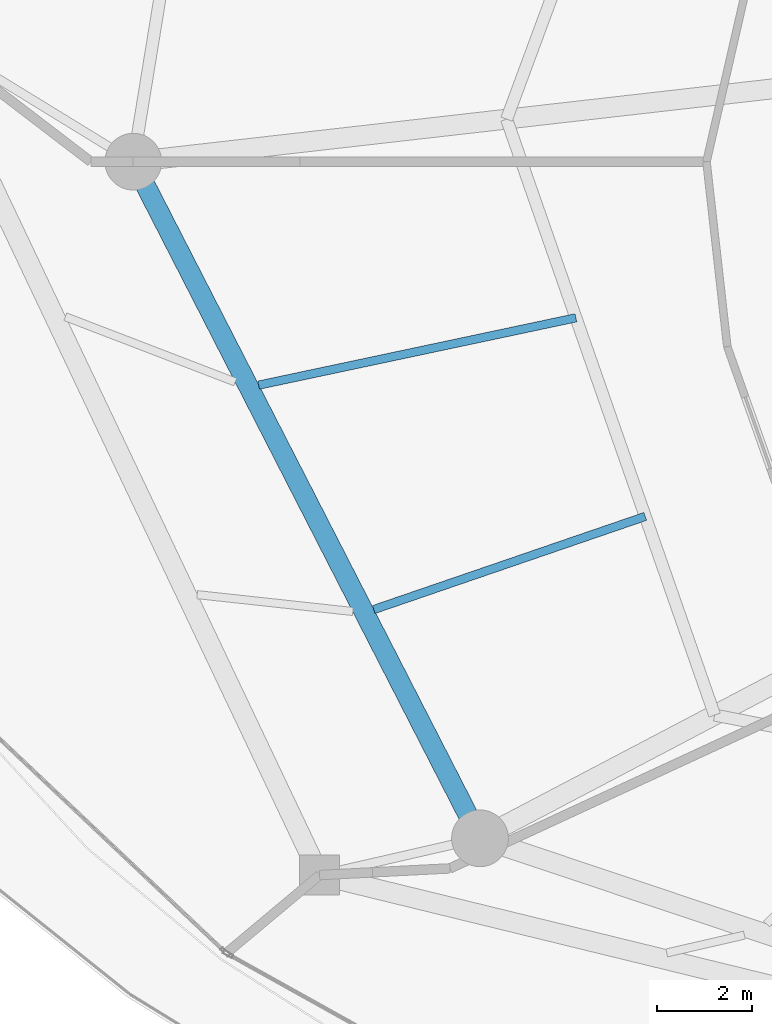
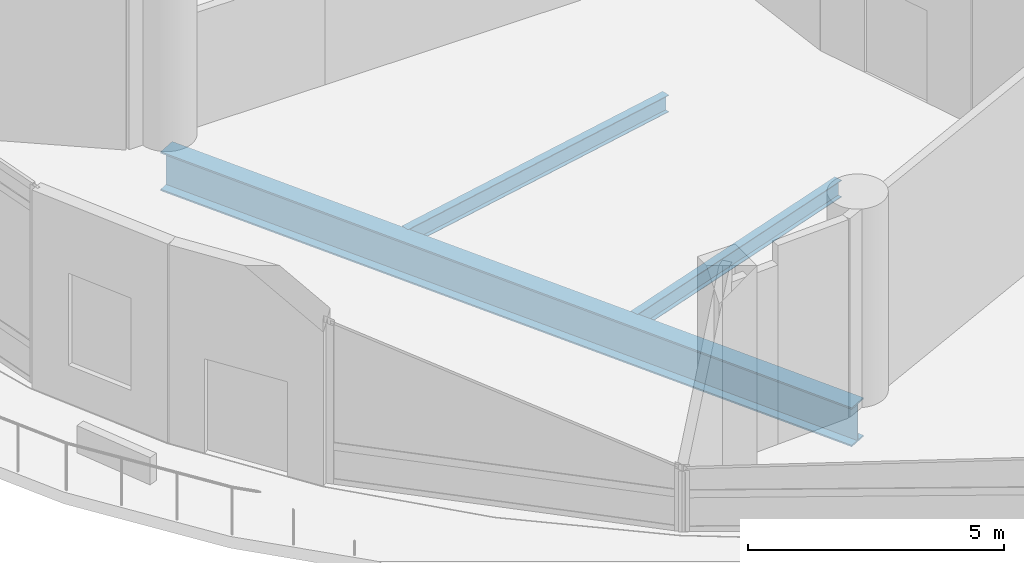
# One storey, part 8 of 34: 3 beams.
"""IFC4 building model written with IfcOpenShell, lengths in metres."""

from ifc_helpers import new_model, si_unit, direction, frame, origin, origin_2d, place, context, subcontext, project, spatial, i_section, extrude, material, material_profile, profile_set, type_object, element, save


model = new_model("IFC4")

# Units and contexts
model_context = context("Model", 3, precision=1e-05, world=origin(), true_north=direction((0.0, 1.0)))
body_context = subcontext(model_context, "Body", "Model", "MODEL_VIEW")
ifc_project = project(units=[si_unit("LENGTHUNIT", "METRE"), si_unit("AREAUNIT", "SQUARE_METRE"), si_unit("VOLUMEUNIT", "CUBIC_METRE"), si_unit("PLANEANGLEUNIT", "RADIAN"), si_unit("MASSUNIT", "GRAM", prefix="KILO")], contexts=[model_context])

# Site, building, storey
site_placement = place(None, origin())
site = spatial("IfcSite", under=ifc_project, at=site_placement, CompositionType="ELEMENT")
building_placement = place(site_placement, origin())
building = spatial("IfcBuilding", under=site, at=building_placement, Name="Nuhasar Tower", CompositionType="ELEMENT")
storey_placement = place(building_placement, frame((0.0, 0.0, 16.0)))
storey = spatial("IfcBuildingStorey", under=building, at=storey_placement, Name="L03", CompositionType="ELEMENT", Elevation=16.0)

# Beams
ifc_material = material(Name="Steel S355", Category="steel")
ifc_material_profile_1 = material_profile(ifc_material, i_section(OverallWidth=0.177978515625, OverallDepth=0.406005859375, WebThickness=0.0078125, FlangeThickness=0.0126953125, at=origin_2d()), Name="W16X40")
ifc_profile_set_1 = profile_set([ifc_material_profile_1], Name="Steel S355")
beam_type_1 = type_object("IfcBeamType", Name="BM-JST-W16X40", PredefinedType="JOIST", material=ifc_profile_set_1)
beam_1_placement = place(storey_placement, frame((23.31689453125, 23.49609375, -0.5029296875), z_axis=(-0.978201506775, -0.207657920972, 0.0), x_axis=(0.207657920972, -0.978201506775, 0.0)))
element("IfcBeam", 1, at=beam_1_placement, inside=storey, type_object=beam_type_1, Name="L03 Secondary Floor Joist 15", PredefinedType="JOIST", context=body_context, shape_type="SweptSolid", body=[
    extrude(i_section(OverallWidth=0.177978515625, OverallDepth=0.406005859375, WebThickness=0.0078125, FlangeThickness=0.0126953125, at=origin_2d()), origin(), (0.0, 0.0, 1.0), 6.862548828125),
])
beam_2_placement = place(storey_placement, frame((24.784912109375, 19.29296875, -0.5029296875), z_axis=(-0.945915296606, -0.324413704469, 0.0), x_axis=(0.324413704469, -0.945915296606, 0.0)))
element("IfcBeam", 2, at=beam_2_placement, inside=storey, type_object=beam_type_1, Name="L03 Secondary Floor Joist 16", PredefinedType="JOIST", context=body_context, shape_type="SweptSolid", body=[
    extrude(i_section(OverallWidth=0.177978515625, OverallDepth=0.406005859375, WebThickness=0.0078125, FlangeThickness=0.0126953125, at=origin_2d()), origin(), (0.0, 0.0, 1.0), 6.075439453125),
])
ifc_material_profile_2 = material_profile(ifc_material, i_section(OverallWidth=0.419921875, OverallDepth=0.931884765625, WebThickness=0.021240234375, FlangeThickness=0.03662109375, at=origin_2d()), Name="W36X262")
ifc_profile_set_2 = profile_set([ifc_material_profile_2], Name="Steel S355")
beam_type_2 = type_object("IfcBeamType", Name="BM-POD-W36X262", PredefinedType="BEAM", material=ifc_profile_set_2)
beam_3_placement = place(storey_placement, frame((13.949951171875, 26.800048828125, -0.76611328125), z_axis=(0.456023040981, -0.88996796914, 0.0), x_axis=(0.88996796914, 0.456023040981, 0.0)))
element("IfcBeam", 3, at=beam_3_placement, inside=storey, type_object=beam_type_2, Name="L03 Mega-Column Ring Girder 08", PredefinedType="BEAM", context=body_context, shape_type="SweptSolid", body=[
    extrude(i_section(OverallWidth=0.419921875, OverallDepth=0.931884765625, WebThickness=0.021240234375, FlangeThickness=0.03662109375, at=origin_2d()), origin(), (0.0, 0.0, 1.0), 16.08935546875),
])

save(model, "model.ifc")
